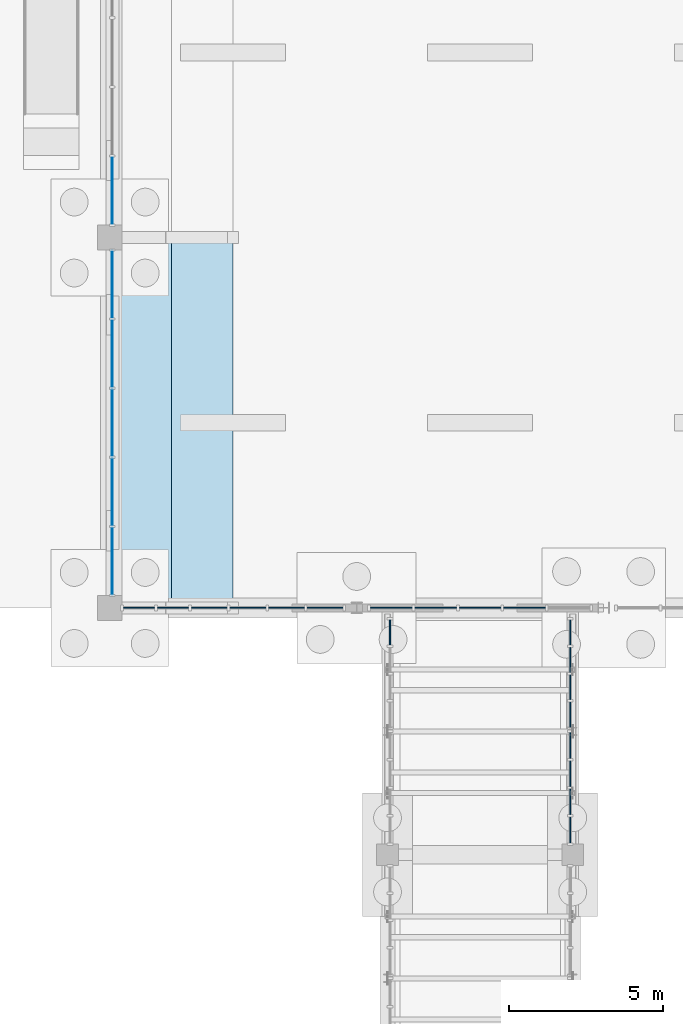
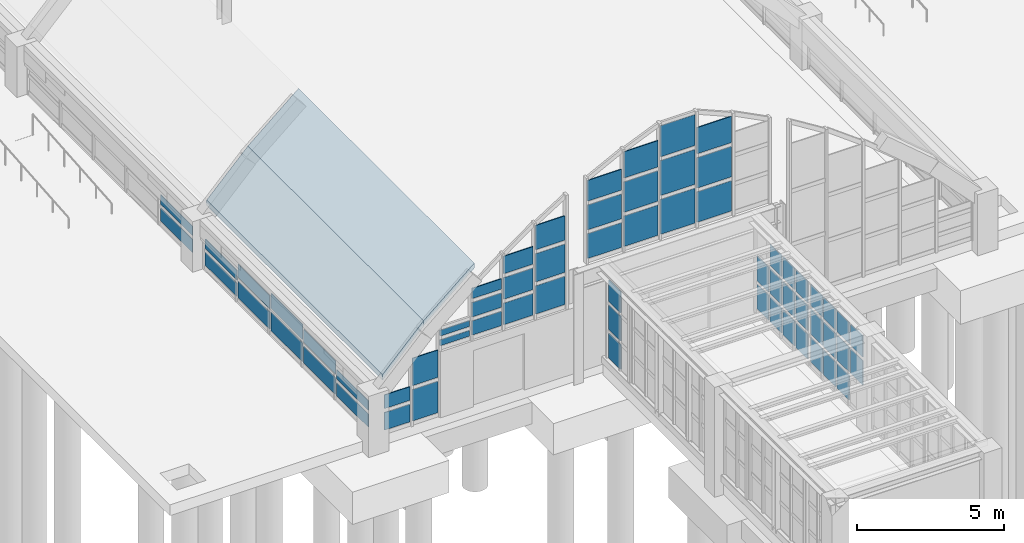
# One storey, part 78 of 129: 64 plates, 2 slabs, 8 elements without a shape of their own.
"""IFC4 building model written with IfcOpenShell, lengths in metres."""

import ifcopenshell
import ifcopenshell.guid

model = None  # the IFC model being written
_history = None  # IfcOwnerHistory: only IFC2X3 demands one
_inside = {}  # id of a spatial element -> (the spatial element, [elements in it])
_under = {}  # id of a project, library or spatial element -> (it, [spatial elements below it])
_declared = {}  # id of a project -> (the project, [libraries it declares])
_typed = {}  # id of a type object -> (the type object, [elements of that type])
_made_of = {}  # id of a material, layer set ... -> (it, [elements and type objects made of it])


def new_model(schema):
    """Start an empty IFC model of exactly this schema.

    Asked for "IFC4X3", IfcOpenShell would pick the latest addendum, in which some entities
    have other attributes; the version numbers below select the first issue.
    IFC2X3 requires an IfcOwnerHistory on every rooted entity: one is made here for all.
    """
    global model, _history
    if schema == "IFC4X3":
        model = ifcopenshell.file(schema_version=(4, 3, 0, 0))
    else:
        model = ifcopenshell.file(schema=schema)
    _inside.clear()
    _under.clear()
    _declared.clear()
    _typed.clear()
    _made_of.clear()
    _history = None
    if model.schema == "IFC2X3":
        org = make("IfcOrganization", Name="unknown")
        user = make(
            "IfcPersonAndOrganization",
            ThePerson=make("IfcPerson", FamilyName="unknown"),
            TheOrganization=org,
        )
        app = make(
            "IfcApplication",
            ApplicationDeveloper=org,
            Version="unknown",
            ApplicationFullName="unknown",
            ApplicationIdentifier="unknown",
        )
        _history = make(
            "IfcOwnerHistory",
            OwningUser=user,
            OwningApplication=app,
            ChangeAction="ADDED",
            CreationDate=0,
        )
    return model


def make(cls, **values):
    """One entity of the class cls with the attributes given. An attribute that is None is left unset."""
    return model.create_entity(
        cls, **{name: value for name, value in values.items() if value is not None}
    )


def rooted(cls, **values):
    """An entity with a GlobalId (a new one), such as an element, a storey or a relation."""
    return make(cls, GlobalId=ifcopenshell.guid.new(), OwnerHistory=_history, **values)


def si_unit(unit_type, name, prefix=None):
    """IfcSIUnit, for example si_unit("LENGTHUNIT", "METRE", prefix="MILLI")."""
    return make("IfcSIUnit", UnitType=unit_type, Prefix=prefix, Name=name)


def assignment(units):
    """IfcUnitAssignment: the units of a project."""
    return None if units is None else make("IfcUnitAssignment", Units=units)


def point(xyz):
    """IfcCartesianPoint."""
    return None if xyz is None else make("IfcCartesianPoint", Coordinates=xyz)


def direction(xyz):
    """IfcDirection."""
    return None if xyz is None else make("IfcDirection", DirectionRatios=xyz)


def frame(location, z_axis=None, x_axis=None):
    """IfcAxis2Placement3D, a coordinate frame: its origin and axes. An axis left out is left unset."""
    return make(
        "IfcAxis2Placement3D",
        Location=point(location),
        Axis=direction(z_axis),
        RefDirection=direction(x_axis),
    )


def frame_2d(location, x_axis=None):
    """IfcAxis2Placement2D, a coordinate frame in the plane: its origin and x axis."""
    return make(
        "IfcAxis2Placement2D", Location=point(location), RefDirection=direction(x_axis)
    )


def origin():
    """The frame at (0, 0, 0) with its axes left unset."""
    return frame((0.0, 0.0, 0.0))


def origin_2d():
    """The frame at (0, 0) in the plane with its x axis left unset."""
    return frame_2d((0.0, 0.0))


def place(relative_to, where):
    """IfcLocalPlacement: puts the frame where relative to a parent placement (None: the world)."""
    return make(
        "IfcLocalPlacement", PlacementRelTo=relative_to, RelativePlacement=where
    )


def context(
    kind, dimensions, precision=None, world=None, true_north=None, identifier=None
):
    """IfcGeometricRepresentationContext, for example the 3D "Model" context."""
    return make(
        "IfcGeometricRepresentationContext",
        ContextIdentifier=identifier,
        ContextType=kind,
        CoordinateSpaceDimension=dimensions,
        Precision=precision,
        WorldCoordinateSystem=world,
        TrueNorth=true_north,
    )


def subcontext(parent, identifier, kind, view, scale=None):
    """IfcGeometricRepresentationSubContext, for example "Body" below "Model"."""
    return make(
        "IfcGeometricRepresentationSubContext",
        ContextIdentifier=identifier,
        ContextType=kind,
        ParentContext=parent,
        TargetScale=scale,
        TargetView=view,
    )


def project(units=None, contexts=None):
    """IfcProject with its units and contexts."""
    return rooted(
        "IfcProject",
        Name="project",
        RepresentationContexts=contexts,
        UnitsInContext=assignment(units),
    )


def spatial(cls, under=None, at=None, **own):
    """A site, building, storey or space (cls), placed at a placement, below another one or the project."""
    s = rooted(cls, ObjectPlacement=at, **own)
    if under is not None:
        _under.setdefault(under.id(), (under, []))[1].append(s)
    return s


def polyline(points):
    """IfcPolyline through the points."""
    return make("IfcPolyline", Points=[point(p) for p in points])


def profile(cls, at=None, kind="AREA", **sizes):
    """A parametric profile (cls). Its sizes go by their IFC names, for example OverallWidth=200.0."""
    return make(cls, ProfileType=kind, Position=at, **sizes)


def rectangle(**sizes):
    """IfcRectangleProfileDef."""
    return profile("IfcRectangleProfileDef", **sizes)


def outline(outer, holes=None, kind="AREA"):
    """IfcArbitraryClosedProfileDef: a profile drawn as a closed curve; with holes, ...WithVoids."""
    if holes is None:
        return make("IfcArbitraryClosedProfileDef", ProfileType=kind, OuterCurve=outer)
    return make(
        "IfcArbitraryProfileDefWithVoids",
        ProfileType=kind,
        OuterCurve=outer,
        InnerCurves=holes,
    )


def extrude(swept, where, along, depth):
    """IfcExtrudedAreaSolid: the profile swept, set in the frame where, extruded along a direction by depth."""
    return make(
        "IfcExtrudedAreaSolid",
        SweptArea=swept,
        Position=where,
        ExtrudedDirection=direction(along),
        Depth=depth,
    )


def shape(context_of_items, identifier, shape_type, items):
    """IfcShapeRepresentation: the items that make up one representation, for example the "Body"."""
    return make(
        "IfcShapeRepresentation",
        ContextOfItems=context_of_items,
        RepresentationIdentifier=identifier,
        RepresentationType=shape_type,
        Items=items,
    )


def material(Name=None, Category=None):
    """IfcMaterial."""
    return make("IfcMaterial", Name=Name, Category=Category)


def layer(
    of_material, thickness, ventilated=None, Name=None, Category=None, Priority=None
):
    """IfcMaterialLayer: one layer of a wall or slab, of a material (None: an air gap)."""
    return make(
        "IfcMaterialLayer",
        Material=of_material,
        LayerThickness=thickness,
        IsVentilated=ventilated,
        Name=Name,
        Category=Category,
        Priority=Priority,
    )


def layer_set(layers, Name=None):
    """IfcMaterialLayerSet."""
    return make("IfcMaterialLayerSet", MaterialLayers=layers, LayerSetName=Name)


def made_of(thing, what):
    """Note that an element or type object is made of a material, layer set ...; save() writes the relation."""
    if what is not None:
        _made_of.setdefault(what.id(), (what, []))[1].append(thing)
    return thing


def type_object(cls, material=None, **own):
    """A type object (cls), such as IfcWallType, which elements share."""
    return made_of(rooted(cls, **own), material)


def element(
    cls,
    number,
    at=None,
    inside=None,
    cuts=None,
    type_object=None,
    material=None,
    context=None,
    identifier="Body",
    shape_type=None,
    held_by="IfcProductDefinitionShape",
    body=None,
    shapes=None,
    **own,
):
    """One element of the class cls, such as IfcWall. Its Tag is "e" and its number.

    at: its placement. inside: the storey or other place that contains it. cuts: it is an
    opening in that element (IfcRelVoidsElement). A single representation is given by context,
    identifier, shape_type and body (its items); several are given by shapes. held_by: the class
    of the entity that holds the representations. save() writes the other relations.
    """
    e = rooted(cls, Tag="e%d" % number, ObjectPlacement=at, **own)
    if body is not None:
        shapes = [shape(context, identifier, shape_type, body)]
    if shapes is not None:
        e.Representation = make(held_by, Representations=shapes)
    if inside is not None:
        _inside.setdefault(inside.id(), (inside, []))[1].append(e)
    if cuts is not None:
        rooted(
            "IfcRelVoidsElement", RelatingBuildingElement=cuts, RelatedOpeningElement=e
        )
    if type_object is not None:
        _typed.setdefault(type_object.id(), (type_object, []))[1].append(e)
    return made_of(e, material)


def aggregate(whole, parts):
    """IfcRelAggregates: a whole, such as a stair, and the parts it consists of."""
    return rooted("IfcRelAggregates", RelatingObject=whole, RelatedObjects=parts)


def save(model, path):
    """Write the relations noted so far, then the file.

    IfcRelAggregates (storeys below a building ...), IfcRelContainedInSpatialStructure (elements
    in a storey), IfcRelDefinesByType, IfcRelAssociatesMaterial and IfcRelDeclares: one each for
    every whole, place, type object, material and project.
    """
    for whole, parts in _under.values():
        aggregate(whole, parts)
    for where, things in _inside.values():
        rooted(
            "IfcRelContainedInSpatialStructure",
            RelatedElements=things,
            RelatingStructure=where,
        )
    for kind, things in _typed.values():
        rooted("IfcRelDefinesByType", RelatedObjects=things, RelatingType=kind)
    for what, things in _made_of.values():
        rooted("IfcRelAssociatesMaterial", RelatedObjects=things, RelatingMaterial=what)
    for by, libraries in _declared.values():
        rooted("IfcRelDeclares", RelatingContext=by, RelatedDefinitions=libraries)
    model.write(path)


model = new_model("IFC4")

# Units and contexts
model_context = context("Model", 3, precision=1e-05, world=origin(), true_north=direction((0.0, 1.0)))
body_context = subcontext(model_context, "Body", "Model", "MODEL_VIEW")
ifc_project = project(units=[si_unit("LENGTHUNIT", "METRE"), si_unit("AREAUNIT", "SQUARE_METRE"), si_unit("VOLUMEUNIT", "CUBIC_METRE"), si_unit("PLANEANGLEUNIT", "RADIAN"), si_unit("MASSUNIT", "GRAM", prefix="KILO")], contexts=[model_context])

# Site, building, storey
site_placement = place(None, origin())
site = spatial("IfcSite", under=ifc_project, at=site_placement, CompositionType="ELEMENT")
building_placement = place(site_placement, origin())
building = spatial("IfcBuilding", under=site, at=building_placement, Name="Sitalva Quay Ferry Terminal", CompositionType="ELEMENT")
storey_placement = place(building_placement, origin())
storey = spatial("IfcBuildingStorey", under=building, at=storey_placement, Name="L01", CompositionType="ELEMENT", Elevation=0.0)

# Curtain wall, plates
ifc_material_1 = material(Name="Anodised Aluminium & Low-E Glazing", Category="aluminium")
ifc_layer_1 = layer(ifc_material_1, 0.159912109375)
ifc_layer_set_1 = layer_set([ifc_layer_1], Name="Anodised Aluminium & Low-E Glazing")
curtain_wall_type_1 = type_object("IfcCurtainWallType", Name="CW_VaultArch_Glazed", PredefinedType="USERDEFINED", material=ifc_layer_set_1)
curtain_wall_1_placement = place(storey_placement, origin())
curtain_wall_1 = element("IfcCurtainWall", 1, at=curtain_wall_1_placement, inside=storey, type_object=curtain_wall_type_1, Name="V2-W shallow-arch base glazing (CW-L01-012)", ObjectType="CURTAIN_WALL", PredefinedType="USERDEFINED")
ifc_material_2 = material(Name="Clear Low-Iron Arch Glazing", Category="glass")
ifc_layer_2 = layer(ifc_material_2, 0.02587890625)
ifc_layer_set_2 = layer_set([ifc_layer_2], Name="Clear Low-Iron Arch Glazing")
plate_type_1 = type_object("IfcPlateType", Name="Panel_Arch_IGU_26", PredefinedType="CURTAIN_PANEL", material=ifc_layer_set_2)
plate_1_placement = place(storey_placement, frame((8.080078125, 7.52001953125, 0.155029296875), z_axis=(0.0, 0.0, 1.0), x_axis=(0.0, 1.0, 0.0)))
plate_1 = element("IfcPlate", 2, at=plate_1_placement, type_object=plate_type_1, Name="CW-L01-012-P0-0", PredefinedType="CURTAIN_PANEL", context=body_context, shape_type="SweptSolid", body=[
    extrude(rectangle(XDim=2.169921875, YDim=0.02587890625, at=origin_2d()), origin(), (0.0, 0.0, 1.0), 0.544921875),
])
plate_2_placement = place(storey_placement, frame((8.080078125, 7.52001953125, 0.85498046875), z_axis=(0.0, 0.0, 1.0), x_axis=(0.0, 1.0, 0.0)))
plate_2 = element("IfcPlate", 3, at=plate_2_placement, type_object=plate_type_1, Name="CW-L01-012-P0-1", PredefinedType="CURTAIN_PANEL", context=body_context, shape_type="SweptSolid", body=[
    extrude(rectangle(XDim=2.169921875, YDim=0.02587890625, at=origin_2d()), origin(), (0.0, 0.0, 1.0), 0.389892578125),
])
plate_3_placement = place(storey_placement, frame((8.080078125, 9.760009765625, 0.1552734375), z_axis=(0.0, 0.0, 1.0), x_axis=(0.0, 1.0, 0.0)))
plate_3 = element("IfcPlate", 4, at=plate_3_placement, type_object=plate_type_1, Name="CW-L01-012-P1-0", PredefinedType="CURTAIN_PANEL", context=body_context, shape_type="SweptSolid", body=[
    extrude(rectangle(XDim=2.169921875, YDim=0.02587890625, at=origin_2d()), origin(), (0.0, 0.0, 1.0), 0.698486328125),
])
plate_4_placement = place(storey_placement, frame((8.080078125, 9.760009765625, 1.0087890625), z_axis=(0.0, 0.0, 1.0), x_axis=(0.0, 1.0, 0.0)))
plate_4 = element("IfcPlate", 5, at=plate_4_placement, type_object=plate_type_1, Name="CW-L01-012-P1-1", PredefinedType="CURTAIN_PANEL", context=body_context, shape_type="SweptSolid", body=[
    extrude(rectangle(XDim=2.169921875, YDim=0.02587890625, at=origin_2d()), origin(), (0.0, 0.0, 1.0), 0.543701171875),
])
plate_5_placement = place(storey_placement, frame((8.080078125, 12.0, 0.155029296875), z_axis=(0.0, 0.0, 1.0), x_axis=(0.0, 1.0, 0.0)))
plate_5 = element("IfcPlate", 6, at=plate_5_placement, type_object=plate_type_1, Name="CW-L01-012-P2-0", PredefinedType="CURTAIN_PANEL", context=body_context, shape_type="SweptSolid", body=[
    extrude(rectangle(XDim=2.169921875, YDim=0.02587890625, at=origin_2d()), origin(), (0.0, 0.0, 1.0), 0.775390625),
])
plate_6_placement = place(storey_placement, frame((8.080078125, 12.0, 1.08544921875), z_axis=(0.0, 0.0, 1.0), x_axis=(0.0, 1.0, 0.0)))
plate_6 = element("IfcPlate", 7, at=plate_6_placement, type_object=plate_type_1, Name="CW-L01-012-P2-1", PredefinedType="CURTAIN_PANEL", context=body_context, shape_type="SweptSolid", body=[
    extrude(rectangle(XDim=2.169921875, YDim=0.02587890625, at=origin_2d()), origin(), (0.0, 0.0, 1.0), 0.620361328125),
])
plate_7_placement = place(storey_placement, frame((8.080078125, 14.239990234375, 0.1552734375), z_axis=(0.0, 0.0, 1.0), x_axis=(0.0, 1.0, 0.0)))
plate_7 = element("IfcPlate", 8, at=plate_7_placement, type_object=plate_type_1, Name="CW-L01-012-P3-0", PredefinedType="CURTAIN_PANEL", context=body_context, shape_type="SweptSolid", body=[
    extrude(rectangle(XDim=2.169921875, YDim=0.02587890625, at=origin_2d()), origin(), (0.0, 0.0, 1.0), 0.698486328125),
])
plate_8_placement = place(storey_placement, frame((8.080078125, 14.239990234375, 1.0087890625), z_axis=(0.0, 0.0, 1.0), x_axis=(0.0, 1.0, 0.0)))
plate_8 = element("IfcPlate", 9, at=plate_8_placement, type_object=plate_type_1, Name="CW-L01-012-P3-1", PredefinedType="CURTAIN_PANEL", context=body_context, shape_type="SweptSolid", body=[
    extrude(rectangle(XDim=2.169921875, YDim=0.02587890625, at=origin_2d()), origin(), (0.0, 0.0, 1.0), 0.543701171875),
])
plate_9_placement = place(storey_placement, frame((8.080078125, 16.47998046875, 0.155029296875), z_axis=(0.0, 0.0, 1.0), x_axis=(0.0, 1.0, 0.0)))
plate_9 = element("IfcPlate", 10, at=plate_9_placement, type_object=plate_type_1, Name="CW-L01-012-P4-0", PredefinedType="CURTAIN_PANEL", context=body_context, shape_type="SweptSolid", body=[
    extrude(rectangle(XDim=2.169921875, YDim=0.02587890625, at=origin_2d()), origin(), (0.0, 0.0, 1.0), 0.544921875),
])
plate_10_placement = place(storey_placement, frame((8.080078125, 16.47998046875, 0.85498046875), z_axis=(0.0, 0.0, 1.0), x_axis=(0.0, 1.0, 0.0)))
plate_10 = element("IfcPlate", 11, at=plate_10_placement, type_object=plate_type_1, Name="CW-L01-012-P4-1", PredefinedType="CURTAIN_PANEL", context=body_context, shape_type="SweptSolid", body=[
    extrude(rectangle(XDim=2.169921875, YDim=0.02587890625, at=origin_2d()), origin(), (0.0, 0.0, 1.0), 0.389892578125),
])
aggregate(curtain_wall_1, [plate_1, plate_2, plate_3, plate_4, plate_5, plate_6, plate_7, plate_8, plate_9, plate_10])

curtain_wall_2_placement = place(storey_placement, origin())
curtain_wall_2 = element("IfcCurtainWall", 12, at=curtain_wall_2_placement, inside=storey, type_object=curtain_wall_type_1, Name="V2-W shallow-arch base glazing (CW-L01-015)", ObjectType="CURTAIN_WALL", PredefinedType="USERDEFINED")
plate_11_placement = place(storey_placement, frame((8.080078125, 19.52001953125, 0.155029296875), z_axis=(0.0, 0.0, 1.0), x_axis=(0.0, 1.0, 0.0)))
plate_11 = element("IfcPlate", 13, at=plate_11_placement, type_object=plate_type_1, Name="CW-L01-015-P0-0", PredefinedType="CURTAIN_PANEL", context=body_context, shape_type="SweptSolid", body=[
    extrude(rectangle(XDim=2.169921875, YDim=0.02587890625, at=origin_2d()), origin(), (0.0, 0.0, 1.0), 0.544921875),
])
plate_12_placement = place(storey_placement, frame((8.080078125, 19.52001953125, 0.85498046875), z_axis=(0.0, 0.0, 1.0), x_axis=(0.0, 1.0, 0.0)))
plate_12 = element("IfcPlate", 14, at=plate_12_placement, type_object=plate_type_1, Name="CW-L01-015-P0-1", PredefinedType="CURTAIN_PANEL", context=body_context, shape_type="SweptSolid", body=[
    extrude(rectangle(XDim=2.169921875, YDim=0.02587890625, at=origin_2d()), origin(), (0.0, 0.0, 1.0), 0.389892578125),
])
aggregate(curtain_wall_2, [plate_11, plate_12])

ifc_material_3 = material(Name="Anodised Aluminium & Low-E Glazing", Category="aluminium")
ifc_layer_3 = layer(ifc_material_3, 0.159912109375)
ifc_layer_set_3 = layer_set([ifc_layer_3], Name="Anodised Aluminium & Low-E Glazing")
curtain_wall_type_2 = type_object("IfcCurtainWallType", Name="CW_Gable_Unitised", PredefinedType="USERDEFINED", material=ifc_layer_set_3)
curtain_wall_3_placement = place(storey_placement, origin())
curtain_wall_3 = element("IfcCurtainWall", 15, at=curtain_wall_3_placement, inside=storey, type_object=curtain_wall_type_2, Name="V2 south gable west eaves glazing (CW-L01-001)", ObjectType="CURTAIN_WALL", PredefinedType="USERDEFINED")
ifc_material_4 = material(Name="Acoustic Laminated Marine Glazing", Category="glass")
ifc_layer_4 = layer(ifc_material_4, 0.033935546875)
ifc_layer_set_4 = layer_set([ifc_layer_4], Name="Acoustic Laminated Marine Glazing")
plate_type_2 = type_object("IfcPlateType", Name="Panel_Marine_IGU_34", PredefinedType="CURTAIN_PANEL", material=ifc_layer_set_4)
plate_13_placement = place(storey_placement, frame((8.949951171875, 6.0, 0.1650390625), z_axis=(0.0, 0.0, 1.0), x_axis=(1.0, 0.0, 0.0)))
plate_13 = element("IfcPlate", 16, at=plate_13_placement, type_object=plate_type_2, Name="CW-L01-001-P0-0", PredefinedType="CURTAIN_PANEL", context=body_context, shape_type="SweptSolid", body=[
    extrude(rectangle(XDim=1.010009765625, YDim=0.033935546875, at=origin_2d()), origin(), (0.0, 0.0, 1.0), 0.732421875),
])
plate_14_placement = place(storey_placement, frame((8.949951171875, 6.0, 1.0625), z_axis=(0.0, 0.0, 1.0), x_axis=(1.0, 0.0, 0.0)))
plate_14 = element("IfcPlate", 17, at=plate_14_placement, type_object=plate_type_2, Name="CW-L01-001-P0-1", PredefinedType="CURTAIN_PANEL", context=body_context, shape_type="SweptSolid", body=[
    extrude(rectangle(XDim=1.010009765625, YDim=0.033935546875, at=origin_2d()), origin(), (0.0, 0.0, 1.0), 0.5673828125),
])
plate_15_placement = place(storey_placement, frame((10.050048828125, 6.0, 0.1650390625), z_axis=(0.0, 0.0, 1.0), x_axis=(1.0, 0.0, 0.0)))
plate_15 = element("IfcPlate", 18, at=plate_15_placement, type_object=plate_type_2, Name="CW-L01-001-P1-0", PredefinedType="CURTAIN_PANEL", context=body_context, shape_type="SweptSolid", body=[
    extrude(rectangle(XDim=1.010009765625, YDim=0.033935546875, at=origin_2d()), origin(), (0.0, 0.0, 1.0), 1.302978515625),
])
plate_16_placement = place(storey_placement, frame((10.050048828125, 6.0, 1.633056640625), z_axis=(0.0, 0.0, 1.0), x_axis=(1.0, 0.0, 0.0)))
plate_16 = element("IfcPlate", 19, at=plate_16_placement, type_object=plate_type_2, Name="CW-L01-001-P1-1", PredefinedType="CURTAIN_PANEL", context=body_context, shape_type="SweptSolid", body=[
    extrude(rectangle(XDim=1.010009765625, YDim=0.033935546875, at=origin_2d()), origin(), (0.0, 0.0, 1.0), 1.13818359375),
])
aggregate(curtain_wall_3, [plate_13, plate_14, plate_15, plate_16])

curtain_wall_4_placement = place(storey_placement, origin())
curtain_wall_4 = element("IfcCurtainWall", 20, at=curtain_wall_4_placement, inside=storey, type_object=curtain_wall_type_2, Name="V2 south gable west pointed glazing (CW-L01-002)", ObjectType="CURTAIN_WALL", PredefinedType="USERDEFINED")
plate_17_placement = place(storey_placement, frame((11.22509765625, 6.0, 2.9150390625), z_axis=(0.0, 0.0, 1.0), x_axis=(1.0, 0.0, 0.0)))
plate_17 = element("IfcPlate", 21, at=plate_17_placement, type_object=plate_type_2, Name="CW-L01-002-P0-0", PredefinedType="CURTAIN_PANEL", context=body_context, shape_type="SweptSolid", body=[
    extrude(rectangle(XDim=1.159912109375, YDim=0.033935546875, at=origin_2d()), origin(), (0.0, 0.0, 1.0), 0.240234375),
])
plate_18_placement = place(storey_placement, frame((11.22509765625, 6.0, 3.3203125), z_axis=(0.0, 0.0, 1.0), x_axis=(1.0, 0.0, 0.0)))
plate_18 = element("IfcPlate", 22, at=plate_18_placement, type_object=plate_type_2, Name="CW-L01-002-P0-1", PredefinedType="CURTAIN_PANEL", context=body_context, shape_type="SweptSolid", body=[
    extrude(rectangle(XDim=1.159912109375, YDim=0.033935546875, at=origin_2d()), origin(), (0.0, 0.0, 1.0), 0.240234375),
])
plate_19_placement = place(storey_placement, frame((12.47509765625, 6.0, 2.9150390625), z_axis=(0.0, 0.0, 1.0), x_axis=(1.0, 0.0, 0.0)))
plate_19 = element("IfcPlate", 23, at=plate_19_placement, type_object=plate_type_2, Name="CW-L01-002-P1-0", PredefinedType="CURTAIN_PANEL", context=body_context, shape_type="SweptSolid", body=[
    extrude(rectangle(XDim=1.159912109375, YDim=0.033935546875, at=origin_2d()), origin(), (0.0, 0.0, 1.0), 0.594970703125),
])
plate_20_placement = place(storey_placement, frame((12.47509765625, 6.0, 3.67529296875), z_axis=(0.0, 0.0, 1.0), x_axis=(1.0, 0.0, 0.0)))
plate_20 = element("IfcPlate", 24, at=plate_20_placement, type_object=plate_type_2, Name="CW-L01-002-P1-1", PredefinedType="CURTAIN_PANEL", context=body_context, shape_type="SweptSolid", body=[
    extrude(rectangle(XDim=1.159912109375, YDim=0.033935546875, at=origin_2d()), origin(), (0.0, 0.0, 1.0), 0.594970703125),
])
plate_21_placement = place(storey_placement, frame((12.47509765625, 6.0, 4.43505859375), z_axis=(0.0, 0.0, 1.0), x_axis=(1.0, 0.0, 0.0)))
plate_21 = element("IfcPlate", 25, at=plate_21_placement, type_object=plate_type_2, Name="CW-L01-002-P1-2", PredefinedType="CURTAIN_PANEL", context=body_context, shape_type="SweptSolid", body=[
    extrude(rectangle(XDim=1.159912109375, YDim=0.033935546875, at=origin_2d()), origin(), (0.0, 0.0, 1.0), 0.429931640625),
])
plate_22_placement = place(storey_placement, frame((13.72509765625, 6.0, 2.9150390625), z_axis=(0.0, 0.0, 1.0), x_axis=(1.0, 0.0, 0.0)))
plate_22 = element("IfcPlate", 26, at=plate_22_placement, type_object=plate_type_2, Name="CW-L01-002-P2-0", PredefinedType="CURTAIN_PANEL", context=body_context, shape_type="SweptSolid", body=[
    extrude(rectangle(XDim=1.159912109375, YDim=0.033935546875, at=origin_2d()), origin(), (0.0, 0.0, 1.0), 0.896484375),
])
plate_23_placement = place(storey_placement, frame((13.72509765625, 6.0, 3.9765625), z_axis=(0.0, 0.0, 1.0), x_axis=(1.0, 0.0, 0.0)))
plate_23 = element("IfcPlate", 27, at=plate_23_placement, type_object=plate_type_2, Name="CW-L01-002-P2-1", PredefinedType="CURTAIN_PANEL", context=body_context, shape_type="SweptSolid", body=[
    extrude(rectangle(XDim=1.159912109375, YDim=0.033935546875, at=origin_2d()), origin(), (0.0, 0.0, 1.0), 0.896484375),
])
plate_24_placement = place(storey_placement, frame((13.72509765625, 6.0, 5.037841796875), z_axis=(0.0, 0.0, 1.0), x_axis=(1.0, 0.0, 0.0)))
plate_24 = element("IfcPlate", 28, at=plate_24_placement, type_object=plate_type_2, Name="CW-L01-002-P2-2", PredefinedType="CURTAIN_PANEL", context=body_context, shape_type="SweptSolid", body=[
    extrude(rectangle(XDim=1.159912109375, YDim=0.033935546875, at=origin_2d()), origin(), (0.0, 0.0, 1.0), 0.7314453125),
])
plate_25_placement = place(storey_placement, frame((14.97509765625, 6.0, 2.9150390625), z_axis=(0.0, 0.0, 1.0), x_axis=(1.0, 0.0, 0.0)))
plate_25 = element("IfcPlate", 29, at=plate_25_placement, type_object=plate_type_2, Name="CW-L01-002-P3-0", PredefinedType="CURTAIN_PANEL", context=body_context, shape_type="SweptSolid", body=[
    extrude(rectangle(XDim=1.159912109375, YDim=0.033935546875, at=origin_2d()), origin(), (0.0, 0.0, 1.0), 1.176513671875),
])
plate_26_placement = place(storey_placement, frame((14.97509765625, 6.0, 4.25634765625), z_axis=(0.0, 0.0, 1.0), x_axis=(1.0, 0.0, 0.0)))
plate_26 = element("IfcPlate", 30, at=plate_26_placement, type_object=plate_type_2, Name="CW-L01-002-P3-1", PredefinedType="CURTAIN_PANEL", context=body_context, shape_type="SweptSolid", body=[
    extrude(rectangle(XDim=1.159912109375, YDim=0.033935546875, at=origin_2d()), origin(), (0.0, 0.0, 1.0), 1.176513671875),
])
plate_27_placement = place(storey_placement, frame((14.97509765625, 6.0, 5.59814453125), z_axis=(0.0, 0.0, 1.0), x_axis=(1.0, 0.0, 0.0)))
plate_27 = element("IfcPlate", 31, at=plate_27_placement, type_object=plate_type_2, Name="CW-L01-002-P3-2", PredefinedType="CURTAIN_PANEL", context=body_context, shape_type="SweptSolid", body=[
    extrude(rectangle(XDim=1.159912109375, YDim=0.033935546875, at=origin_2d()), origin(), (0.0, 0.0, 1.0), 1.011474609375),
])
aggregate(curtain_wall_4, [plate_17, plate_18, plate_19, plate_20, plate_21, plate_22, plate_23, plate_24, plate_25, plate_26, plate_27])

curtain_wall_5_placement = place(storey_placement, origin())
curtain_wall_5 = element("IfcCurtainWall", 32, at=curtain_wall_5_placement, inside=storey, type_object=curtain_wall_type_2, Name="V2 south gable apex glazing (CW-L01-003)", ObjectType="CURTAIN_WALL", PredefinedType="USERDEFINED")
plate_28_placement = place(storey_placement, frame((17.1201171875, 6.0, 4.514892578125), z_axis=(0.0, 0.0, 1.0), x_axis=(1.0, 0.0, 0.0)))
plate_28 = element("IfcPlate", 33, at=plate_28_placement, type_object=plate_type_2, Name="CW-L01-003-P0-0", PredefinedType="CURTAIN_PANEL", context=body_context, shape_type="SweptSolid", body=[
    extrude(rectangle(XDim=1.35009765625, YDim=0.033935546875, at=origin_2d()), origin(), (0.0, 0.0, 1.0), 1.029296875),
])
plate_29_placement = place(storey_placement, frame((17.1201171875, 6.0, 5.709228515625), z_axis=(0.0, 0.0, 1.0), x_axis=(1.0, 0.0, 0.0)))
plate_29 = element("IfcPlate", 34, at=plate_29_placement, type_object=plate_type_2, Name="CW-L01-003-P0-1", PredefinedType="CURTAIN_PANEL", context=body_context, shape_type="SweptSolid", body=[
    extrude(rectangle(XDim=1.35009765625, YDim=0.033935546875, at=origin_2d()), origin(), (0.0, 0.0, 1.0), 1.029296875),
])
plate_30_placement = place(storey_placement, frame((17.1201171875, 6.0, 6.903564453125), z_axis=(0.0, 0.0, 1.0), x_axis=(1.0, 0.0, 0.0)))
plate_30 = element("IfcPlate", 35, at=plate_30_placement, type_object=plate_type_2, Name="CW-L01-003-P0-2", PredefinedType="CURTAIN_PANEL", context=body_context, shape_type="SweptSolid", body=[
    extrude(rectangle(XDim=1.35009765625, YDim=0.033935546875, at=origin_2d()), origin(), (0.0, 0.0, 1.0), 0.8642578125),
])
plate_31_placement = place(storey_placement, frame((18.56005859375, 6.0, 4.51513671875), z_axis=(0.0, 0.0, 1.0), x_axis=(1.0, 0.0, 0.0)))
plate_31 = element("IfcPlate", 36, at=plate_31_placement, type_object=plate_type_2, Name="CW-L01-003-P1-0", PredefinedType="CURTAIN_PANEL", context=body_context, shape_type="SweptSolid", body=[
    extrude(rectangle(XDim=1.35009765625, YDim=0.033935546875, at=origin_2d()), origin(), (0.0, 0.0, 1.0), 1.26025390625),
])
plate_32_placement = place(storey_placement, frame((18.56005859375, 6.0, 5.9404296875), z_axis=(0.0, 0.0, 1.0), x_axis=(1.0, 0.0, 0.0)))
plate_32 = element("IfcPlate", 37, at=plate_32_placement, type_object=plate_type_2, Name="CW-L01-003-P1-1", PredefinedType="CURTAIN_PANEL", context=body_context, shape_type="SweptSolid", body=[
    extrude(rectangle(XDim=1.35009765625, YDim=0.033935546875, at=origin_2d()), origin(), (0.0, 0.0, 1.0), 1.26025390625),
])
plate_33_placement = place(storey_placement, frame((18.56005859375, 6.0, 7.36572265625), z_axis=(0.0, 0.0, 1.0), x_axis=(1.0, 0.0, 0.0)))
plate_33 = element("IfcPlate", 38, at=plate_33_placement, type_object=plate_type_2, Name="CW-L01-003-P1-2", PredefinedType="CURTAIN_PANEL", context=body_context, shape_type="SweptSolid", body=[
    extrude(rectangle(XDim=1.35009765625, YDim=0.033935546875, at=origin_2d()), origin(), (0.0, 0.0, 1.0), 1.09521484375),
])
plate_34_placement = place(storey_placement, frame((20.0, 6.0, 4.51513671875), z_axis=(0.0, 0.0, 1.0), x_axis=(1.0, 0.0, 0.0)))
plate_34 = element("IfcPlate", 39, at=plate_34_placement, type_object=plate_type_2, Name="CW-L01-003-P2-0", PredefinedType="CURTAIN_PANEL", context=body_context, shape_type="SweptSolid", body=[
    extrude(rectangle(XDim=1.35009765625, YDim=0.033935546875, at=origin_2d()), origin(), (0.0, 0.0, 1.0), 1.45166015625),
])
plate_35_placement = place(storey_placement, frame((20.0, 6.0, 6.1318359375), z_axis=(0.0, 0.0, 1.0), x_axis=(1.0, 0.0, 0.0)))
plate_35 = element("IfcPlate", 40, at=plate_35_placement, type_object=plate_type_2, Name="CW-L01-003-P2-1", PredefinedType="CURTAIN_PANEL", context=body_context, shape_type="SweptSolid", body=[
    extrude(rectangle(XDim=1.35009765625, YDim=0.033935546875, at=origin_2d()), origin(), (0.0, 0.0, 1.0), 1.45166015625),
])
plate_36_placement = place(storey_placement, frame((20.0, 6.0, 7.74853515625), z_axis=(0.0, 0.0, 1.0), x_axis=(1.0, 0.0, 0.0)))
plate_36 = element("IfcPlate", 41, at=plate_36_placement, type_object=plate_type_2, Name="CW-L01-003-P2-2", PredefinedType="CURTAIN_PANEL", context=body_context, shape_type="SweptSolid", body=[
    extrude(rectangle(XDim=1.35009765625, YDim=0.033935546875, at=origin_2d()), origin(), (0.0, 0.0, 1.0), 1.286865234375),
])
plate_37_placement = place(storey_placement, frame((21.43994140625, 6.0, 4.51513671875), z_axis=(0.0, 0.0, 1.0), x_axis=(1.0, 0.0, 0.0)))
plate_37 = element("IfcPlate", 42, at=plate_37_placement, type_object=plate_type_2, Name="CW-L01-003-P3-0", PredefinedType="CURTAIN_PANEL", context=body_context, shape_type="SweptSolid", body=[
    extrude(rectangle(XDim=1.35009765625, YDim=0.033935546875, at=origin_2d()), origin(), (0.0, 0.0, 1.0), 1.26025390625),
])
plate_38_placement = place(storey_placement, frame((21.43994140625, 6.0, 5.9404296875), z_axis=(0.0, 0.0, 1.0), x_axis=(1.0, 0.0, 0.0)))
plate_38 = element("IfcPlate", 43, at=plate_38_placement, type_object=plate_type_2, Name="CW-L01-003-P3-1", PredefinedType="CURTAIN_PANEL", context=body_context, shape_type="SweptSolid", body=[
    extrude(rectangle(XDim=1.35009765625, YDim=0.033935546875, at=origin_2d()), origin(), (0.0, 0.0, 1.0), 1.26025390625),
])
plate_39_placement = place(storey_placement, frame((21.43994140625, 6.0, 7.36572265625), z_axis=(0.0, 0.0, 1.0), x_axis=(1.0, 0.0, 0.0)))
plate_39 = element("IfcPlate", 44, at=plate_39_placement, type_object=plate_type_2, Name="CW-L01-003-P3-2", PredefinedType="CURTAIN_PANEL", context=body_context, shape_type="SweptSolid", body=[
    extrude(rectangle(XDim=1.35009765625, YDim=0.033935546875, at=origin_2d()), origin(), (0.0, 0.0, 1.0), 1.09521484375),
])
aggregate(curtain_wall_5, [plate_28, plate_29, plate_30, plate_31, plate_32, plate_33, plate_34, plate_35, plate_36, plate_37, plate_38, plate_39])

ifc_material_5 = material(Name="Anodised Aluminium & Low-E Glazing", Category="aluminium")
ifc_layer_5 = layer(ifc_material_5, 0.159912109375)
ifc_layer_set_5 = layer_set([ifc_layer_5], Name="Anodised Aluminium & Low-E Glazing")
curtain_wall_type_3 = type_object("IfcCurtainWallType", Name="CW_Bridge_Glazed", PredefinedType="USERDEFINED", material=ifc_layer_set_5)
curtain_wall_6_placement = place(storey_placement, origin())
curtain_wall_6 = element("IfcCurtainWall", 45, at=curtain_wall_6_placement, inside=storey, type_object=curtain_wall_type_3, Name="Boarding bridge BB1 W4 side glazing (CW-L01-036)", ObjectType="CURTAIN_WALL", PredefinedType="USERDEFINED")
plate_40_placement = place(storey_placement, frame((17.080078125, 5.206298828125, 0.39990234375), z_axis=(0.0, 0.0, 1.0), x_axis=(0.0, 1.0, 0.0)))
plate_40 = element("IfcPlate", 46, at=plate_40_placement, type_object=plate_type_2, Name="CW-L01-036-P3-0", PredefinedType="CURTAIN_PANEL", context=body_context, shape_type="SweptSolid", body=[
    extrude(rectangle(XDim=0.8076171875, YDim=0.033935546875, at=origin_2d()), origin(), (0.0, 0.0, 1.0), 1.026611328125),
])
plate_41_placement = place(storey_placement, frame((17.080078125, 5.206298828125, 1.57666015625), z_axis=(0.0, 0.0, 1.0), x_axis=(0.0, 1.0, 0.0)))
plate_41 = element("IfcPlate", 47, at=plate_41_placement, type_object=plate_type_2, Name="CW-L01-036-P3-1", PredefinedType="CURTAIN_PANEL", context=body_context, shape_type="SweptSolid", body=[
    extrude(rectangle(XDim=0.8076171875, YDim=0.033935546875, at=origin_2d()), origin(), (0.0, 0.0, 1.0), 1.026611328125),
])
plate_42_placement = place(storey_placement, frame((17.080078125, 5.206298828125, 2.75341796875), z_axis=(0.0, 0.0, 1.0), x_axis=(0.0, 1.0, 0.0)))
plate_42 = element("IfcPlate", 48, at=plate_42_placement, type_object=plate_type_2, Name="CW-L01-036-P3-2", PredefinedType="CURTAIN_PANEL", context=body_context, shape_type="SweptSolid", body=[
    extrude(rectangle(XDim=0.8076171875, YDim=0.033935546875, at=origin_2d()), origin(), (0.0, 0.0, 1.0), 0.876708984375),
])
aggregate(curtain_wall_6, [plate_40, plate_41, plate_42])

curtain_wall_7_placement = place(storey_placement, origin())
curtain_wall_7 = element("IfcCurtainWall", 49, at=curtain_wall_7_placement, inside=storey, type_object=curtain_wall_type_3, Name="Boarding bridge BB1 E3 side glazing (CW-L01-039)", ObjectType="CURTAIN_WALL", PredefinedType="USERDEFINED")
plate_43_placement = place(storey_placement, frame((22.919921875, -1.19384765625, 1.57666015625), z_axis=(0.0, 0.0, 1.0), x_axis=(0.0, 1.0, 0.0)))
plate_43 = element("IfcPlate", 50, at=plate_43_placement, type_object=plate_type_2, Name="CW-L01-039-P0-1", PredefinedType="CURTAIN_PANEL", context=body_context, shape_type="SweptSolid", body=[
    extrude(rectangle(XDim=0.83251953125, YDim=0.033935546875, at=origin_2d()), origin(), (0.0, 0.0, 1.0), 1.026611328125),
])
plate_44_placement = place(storey_placement, frame((22.919921875, -1.19384765625, 2.75341796875), z_axis=(0.0, 0.0, 1.0), x_axis=(0.0, 1.0, 0.0)))
plate_44 = element("IfcPlate", 51, at=plate_44_placement, type_object=plate_type_2, Name="CW-L01-039-P0-2", PredefinedType="CURTAIN_PANEL", context=body_context, shape_type="SweptSolid", body=[
    extrude(rectangle(XDim=0.83251953125, YDim=0.033935546875, at=origin_2d()), origin(), (0.0, 0.0, 1.0), 0.876708984375),
])
plate_45_placement = place(storey_placement, frame((22.919921875, -0.28125, 0.39990234375), z_axis=(0.0, 0.0, 1.0), x_axis=(0.0, 1.0, 0.0)))
plate_45 = element("IfcPlate", 52, at=plate_45_placement, type_object=plate_type_2, Name="CW-L01-039-P1-0", PredefinedType="CURTAIN_PANEL", context=body_context, shape_type="SweptSolid", body=[
    extrude(rectangle(XDim=0.83251953125, YDim=0.033935546875, at=origin_2d()), origin(), (0.0, 0.0, 1.0), 1.026611328125),
])
plate_46_placement = place(storey_placement, frame((22.919921875, -0.28125, 1.57666015625), z_axis=(0.0, 0.0, 1.0), x_axis=(0.0, 1.0, 0.0)))
plate_46 = element("IfcPlate", 53, at=plate_46_placement, type_object=plate_type_2, Name="CW-L01-039-P1-1", PredefinedType="CURTAIN_PANEL", context=body_context, shape_type="SweptSolid", body=[
    extrude(rectangle(XDim=0.83251953125, YDim=0.033935546875, at=origin_2d()), origin(), (0.0, 0.0, 1.0), 1.026611328125),
])
plate_47_placement = place(storey_placement, frame((22.919921875, -0.28125, 2.75341796875), z_axis=(0.0, 0.0, 1.0), x_axis=(0.0, 1.0, 0.0)))
plate_47 = element("IfcPlate", 54, at=plate_47_placement, type_object=plate_type_2, Name="CW-L01-039-P1-2", PredefinedType="CURTAIN_PANEL", context=body_context, shape_type="SweptSolid", body=[
    extrude(rectangle(XDim=0.83251953125, YDim=0.033935546875, at=origin_2d()), origin(), (0.0, 0.0, 1.0), 0.876708984375),
])
plate_48_placement = place(storey_placement, frame((22.919921875, 0.63134765625, 0.39990234375), z_axis=(0.0, 0.0, 1.0), x_axis=(0.0, 1.0, 0.0)))
plate_48 = element("IfcPlate", 55, at=plate_48_placement, type_object=plate_type_2, Name="CW-L01-039-P2-0", PredefinedType="CURTAIN_PANEL", context=body_context, shape_type="SweptSolid", body=[
    extrude(rectangle(XDim=0.83251953125, YDim=0.033935546875, at=origin_2d()), origin(), (0.0, 0.0, 1.0), 1.026611328125),
])
plate_49_placement = place(storey_placement, frame((22.919921875, 0.63134765625, 1.57666015625), z_axis=(0.0, 0.0, 1.0), x_axis=(0.0, 1.0, 0.0)))
plate_49 = element("IfcPlate", 56, at=plate_49_placement, type_object=plate_type_2, Name="CW-L01-039-P2-1", PredefinedType="CURTAIN_PANEL", context=body_context, shape_type="SweptSolid", body=[
    extrude(rectangle(XDim=0.83251953125, YDim=0.033935546875, at=origin_2d()), origin(), (0.0, 0.0, 1.0), 1.026611328125),
])
plate_50_placement = place(storey_placement, frame((22.919921875, 0.63134765625, 2.75341796875), z_axis=(0.0, 0.0, 1.0), x_axis=(0.0, 1.0, 0.0)))
plate_50 = element("IfcPlate", 57, at=plate_50_placement, type_object=plate_type_2, Name="CW-L01-039-P2-2", PredefinedType="CURTAIN_PANEL", context=body_context, shape_type="SweptSolid", body=[
    extrude(rectangle(XDim=0.83251953125, YDim=0.033935546875, at=origin_2d()), origin(), (0.0, 0.0, 1.0), 0.876708984375),
])
plate_51_placement = place(storey_placement, frame((22.919921875, 1.543701171875, 0.39990234375), z_axis=(0.0, 0.0, 1.0), x_axis=(0.0, 1.0, 0.0)))
plate_51 = element("IfcPlate", 58, at=plate_51_placement, type_object=plate_type_2, Name="CW-L01-039-P3-0", PredefinedType="CURTAIN_PANEL", context=body_context, shape_type="SweptSolid", body=[
    extrude(rectangle(XDim=0.83251953125, YDim=0.033935546875, at=origin_2d()), origin(), (0.0, 0.0, 1.0), 1.026611328125),
])
plate_52_placement = place(storey_placement, frame((22.919921875, 1.543701171875, 1.57666015625), z_axis=(0.0, 0.0, 1.0), x_axis=(0.0, 1.0, 0.0)))
plate_52 = element("IfcPlate", 59, at=plate_52_placement, type_object=plate_type_2, Name="CW-L01-039-P3-1", PredefinedType="CURTAIN_PANEL", context=body_context, shape_type="SweptSolid", body=[
    extrude(rectangle(XDim=0.83251953125, YDim=0.033935546875, at=origin_2d()), origin(), (0.0, 0.0, 1.0), 1.026611328125),
])
plate_53_placement = place(storey_placement, frame((22.919921875, 1.543701171875, 2.75341796875), z_axis=(0.0, 0.0, 1.0), x_axis=(0.0, 1.0, 0.0)))
plate_53 = element("IfcPlate", 60, at=plate_53_placement, type_object=plate_type_2, Name="CW-L01-039-P3-2", PredefinedType="CURTAIN_PANEL", context=body_context, shape_type="SweptSolid", body=[
    extrude(rectangle(XDim=0.83251953125, YDim=0.033935546875, at=origin_2d()), origin(), (0.0, 0.0, 1.0), 0.876708984375),
])
aggregate(curtain_wall_7, [plate_43, plate_44, plate_45, plate_46, plate_47, plate_48, plate_49, plate_50, plate_51, plate_52, plate_53])

curtain_wall_8_placement = place(storey_placement, origin())
curtain_wall_8 = element("IfcCurtainWall", 61, at=curtain_wall_8_placement, inside=storey, type_object=curtain_wall_type_3, Name="Boarding bridge BB1 E4 side glazing (CW-L01-040)", ObjectType="CURTAIN_WALL", PredefinedType="USERDEFINED")
plate_54_placement = place(storey_placement, frame((22.919921875, 2.543701171875, 0.39990234375), z_axis=(0.0, 0.0, 1.0), x_axis=(0.0, 1.0, 0.0)))
plate_54 = element("IfcPlate", 62, at=plate_54_placement, type_object=plate_type_2, Name="CW-L01-040-P0-0", PredefinedType="CURTAIN_PANEL", context=body_context, shape_type="SweptSolid", body=[
    extrude(rectangle(XDim=0.8076171875, YDim=0.033935546875, at=origin_2d()), origin(), (0.0, 0.0, 1.0), 1.026611328125),
])
plate_55_placement = place(storey_placement, frame((22.919921875, 2.543701171875, 1.57666015625), z_axis=(0.0, 0.0, 1.0), x_axis=(0.0, 1.0, 0.0)))
plate_55 = element("IfcPlate", 63, at=plate_55_placement, type_object=plate_type_2, Name="CW-L01-040-P0-1", PredefinedType="CURTAIN_PANEL", context=body_context, shape_type="SweptSolid", body=[
    extrude(rectangle(XDim=0.8076171875, YDim=0.033935546875, at=origin_2d()), origin(), (0.0, 0.0, 1.0), 1.026611328125),
])
plate_56_placement = place(storey_placement, frame((22.919921875, 2.543701171875, 2.75341796875), z_axis=(0.0, 0.0, 1.0), x_axis=(0.0, 1.0, 0.0)))
plate_56 = element("IfcPlate", 64, at=plate_56_placement, type_object=plate_type_2, Name="CW-L01-040-P0-2", PredefinedType="CURTAIN_PANEL", context=body_context, shape_type="SweptSolid", body=[
    extrude(rectangle(XDim=0.8076171875, YDim=0.033935546875, at=origin_2d()), origin(), (0.0, 0.0, 1.0), 0.876708984375),
])
plate_57_placement = place(storey_placement, frame((22.919921875, 3.43115234375, 0.39990234375), z_axis=(0.0, 0.0, 1.0), x_axis=(0.0, 1.0, 0.0)))
plate_57 = element("IfcPlate", 65, at=plate_57_placement, type_object=plate_type_2, Name="CW-L01-040-P1-0", PredefinedType="CURTAIN_PANEL", context=body_context, shape_type="SweptSolid", body=[
    extrude(rectangle(XDim=0.8076171875, YDim=0.033935546875, at=origin_2d()), origin(), (0.0, 0.0, 1.0), 1.026611328125),
])
plate_58_placement = place(storey_placement, frame((22.919921875, 3.43115234375, 1.57666015625), z_axis=(0.0, 0.0, 1.0), x_axis=(0.0, 1.0, 0.0)))
plate_58 = element("IfcPlate", 66, at=plate_58_placement, type_object=plate_type_2, Name="CW-L01-040-P1-1", PredefinedType="CURTAIN_PANEL", context=body_context, shape_type="SweptSolid", body=[
    extrude(rectangle(XDim=0.8076171875, YDim=0.033935546875, at=origin_2d()), origin(), (0.0, 0.0, 1.0), 1.026611328125),
])
plate_59_placement = place(storey_placement, frame((22.919921875, 3.43115234375, 2.75341796875), z_axis=(0.0, 0.0, 1.0), x_axis=(0.0, 1.0, 0.0)))
plate_59 = element("IfcPlate", 67, at=plate_59_placement, type_object=plate_type_2, Name="CW-L01-040-P1-2", PredefinedType="CURTAIN_PANEL", context=body_context, shape_type="SweptSolid", body=[
    extrude(rectangle(XDim=0.8076171875, YDim=0.033935546875, at=origin_2d()), origin(), (0.0, 0.0, 1.0), 0.876708984375),
])
plate_60_placement = place(storey_placement, frame((22.919921875, 4.31884765625, 0.39990234375), z_axis=(0.0, 0.0, 1.0), x_axis=(0.0, 1.0, 0.0)))
plate_60 = element("IfcPlate", 68, at=plate_60_placement, type_object=plate_type_2, Name="CW-L01-040-P2-0", PredefinedType="CURTAIN_PANEL", context=body_context, shape_type="SweptSolid", body=[
    extrude(rectangle(XDim=0.8076171875, YDim=0.033935546875, at=origin_2d()), origin(), (0.0, 0.0, 1.0), 1.026611328125),
])
plate_61_placement = place(storey_placement, frame((22.919921875, 4.31884765625, 1.57666015625), z_axis=(0.0, 0.0, 1.0), x_axis=(0.0, 1.0, 0.0)))
plate_61 = element("IfcPlate", 69, at=plate_61_placement, type_object=plate_type_2, Name="CW-L01-040-P2-1", PredefinedType="CURTAIN_PANEL", context=body_context, shape_type="SweptSolid", body=[
    extrude(rectangle(XDim=0.8076171875, YDim=0.033935546875, at=origin_2d()), origin(), (0.0, 0.0, 1.0), 1.026611328125),
])
plate_62_placement = place(storey_placement, frame((22.919921875, 4.31884765625, 2.75341796875), z_axis=(0.0, 0.0, 1.0), x_axis=(0.0, 1.0, 0.0)))
plate_62 = element("IfcPlate", 70, at=plate_62_placement, type_object=plate_type_2, Name="CW-L01-040-P2-2", PredefinedType="CURTAIN_PANEL", context=body_context, shape_type="SweptSolid", body=[
    extrude(rectangle(XDim=0.8076171875, YDim=0.033935546875, at=origin_2d()), origin(), (0.0, 0.0, 1.0), 0.876708984375),
])
plate_63_placement = place(storey_placement, frame((22.919921875, 5.206298828125, 0.39990234375), z_axis=(0.0, 0.0, 1.0), x_axis=(0.0, 1.0, 0.0)))
plate_63 = element("IfcPlate", 71, at=plate_63_placement, type_object=plate_type_2, Name="CW-L01-040-P3-0", PredefinedType="CURTAIN_PANEL", context=body_context, shape_type="SweptSolid", body=[
    extrude(rectangle(XDim=0.8076171875, YDim=0.033935546875, at=origin_2d()), origin(), (0.0, 0.0, 1.0), 1.026611328125),
])
plate_64_placement = place(storey_placement, frame((22.919921875, 5.206298828125, 1.57666015625), z_axis=(0.0, 0.0, 1.0), x_axis=(0.0, 1.0, 0.0)))
plate_64 = element("IfcPlate", 72, at=plate_64_placement, type_object=plate_type_2, Name="CW-L01-040-P3-1", PredefinedType="CURTAIN_PANEL", context=body_context, shape_type="SweptSolid", body=[
    extrude(rectangle(XDim=0.8076171875, YDim=0.033935546875, at=origin_2d()), origin(), (0.0, 0.0, 1.0), 1.026611328125),
])
aggregate(curtain_wall_8, [plate_54, plate_55, plate_56, plate_57, plate_58, plate_59, plate_60, plate_61, plate_62, plate_63, plate_64])

# Slabs
ifc_material_6 = material(Name="Concrete C40/50", Category="concrete")
ifc_layer_6 = layer(ifc_material_6, 0.159912109375)
ifc_layer_set_6 = layer_set([ifc_layer_6], Name="Concrete C40/50")
slab_type = type_object("IfcSlabType", Name="Slab_PointedVaultShell_160", PredefinedType="ROOF", material=ifc_layer_set_6)
slab_1_placement = place(storey_placement, frame((8.3798828125, 6.0, 2.494140625), z_axis=(-0.71995626628, 0.0, 0.69401943391), x_axis=(0.69401943391, 0.0, 0.71995626628)))
element("IfcSlab", 73, at=slab_1_placement, inside=storey, type_object=slab_type, Name="Vault V2 pointed shell facet B1-F1", PredefinedType="ROOF", context=body_context, shape_type="SweptSolid", body=[
    extrude(outline(polyline([(0.0, 0.0), (2.3343974366443936, 0.0), (2.3343974366443936, 12.0), (0.0, 12.0), (0.0, 0.0)])), origin(), (-0.71995626628, 0.0, -0.69401943391), 0.23046875),
])
slab_2_placement = place(storey_placement, frame((10.0, 6.0, 4.1748046875), z_axis=(-0.648338785368, 0.0, 0.761351968138), x_axis=(0.761351968138, 0.0, 0.648338785368)))
element("IfcSlab", 74, at=slab_2_placement, inside=storey, type_object=slab_type, Name="Vault V2 pointed shell facet B1-F2", PredefinedType="ROOF", context=body_context, shape_type="SweptSolid", body=[
    extrude(outline(polyline([(0.0, 0.0), (2.6269059301057966, 0.0), (2.6269059301057966, 12.0), (0.0, 12.0), (0.0, 0.0)])), origin(), (-0.648338785368, 0.0, -0.761351968138), 0.210205078125),
])

save(model, "model.ifc")
